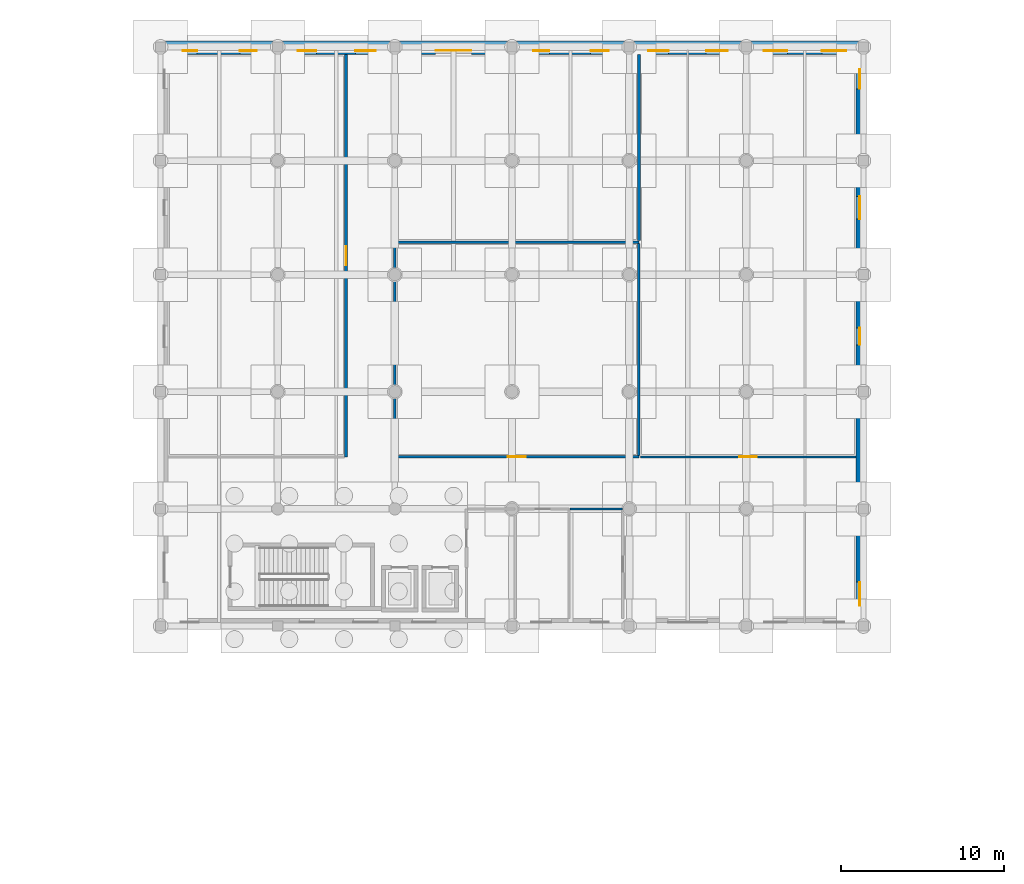
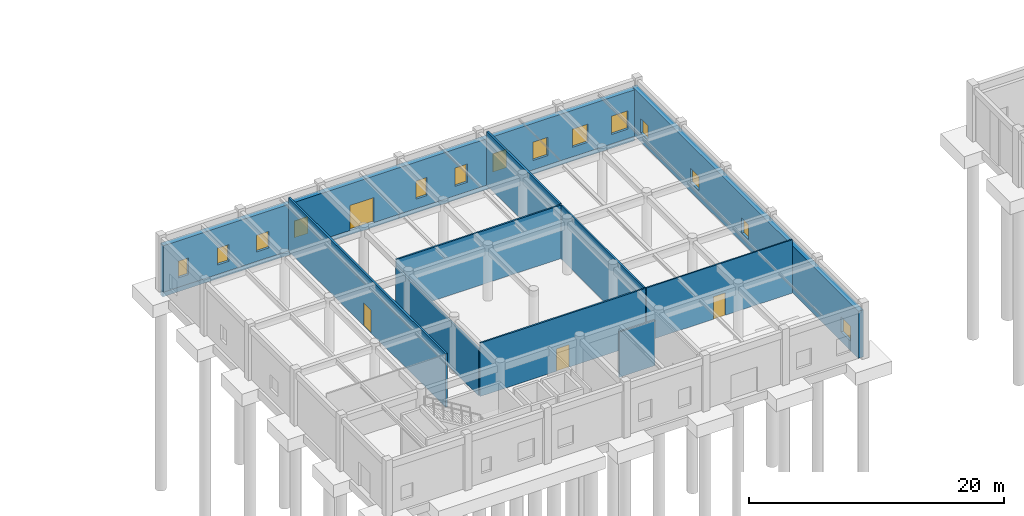
# One storey, part 73 of 91: 14 windows, 12 walls, 4 doors, 18 openings.
"""IFC4 building model written with IfcOpenShell, lengths in metres."""

import ifcopenshell
import ifcopenshell.guid

model = None  # the IFC model being written
_history = None  # IfcOwnerHistory: only IFC2X3 demands one
_inside = {}  # id of a spatial element -> (the spatial element, [elements in it])
_under = {}  # id of a project, library or spatial element -> (it, [spatial elements below it])
_declared = {}  # id of a project -> (the project, [libraries it declares])
_typed = {}  # id of a type object -> (the type object, [elements of that type])
_made_of = {}  # id of a material, layer set ... -> (it, [elements and type objects made of it])


def new_model(schema):
    """Start an empty IFC model of exactly this schema.

    Asked for "IFC4X3", IfcOpenShell would pick the latest addendum, in which some entities
    have other attributes; the version numbers below select the first issue.
    IFC2X3 requires an IfcOwnerHistory on every rooted entity: one is made here for all.
    """
    global model, _history
    if schema == "IFC4X3":
        model = ifcopenshell.file(schema_version=(4, 3, 0, 0))
    else:
        model = ifcopenshell.file(schema=schema)
    _inside.clear()
    _under.clear()
    _declared.clear()
    _typed.clear()
    _made_of.clear()
    _history = None
    if model.schema == "IFC2X3":
        org = make("IfcOrganization", Name="unknown")
        user = make(
            "IfcPersonAndOrganization",
            ThePerson=make("IfcPerson", FamilyName="unknown"),
            TheOrganization=org,
        )
        app = make(
            "IfcApplication",
            ApplicationDeveloper=org,
            Version="unknown",
            ApplicationFullName="unknown",
            ApplicationIdentifier="unknown",
        )
        _history = make(
            "IfcOwnerHistory",
            OwningUser=user,
            OwningApplication=app,
            ChangeAction="ADDED",
            CreationDate=0,
        )
    return model


def make(cls, **values):
    """One entity of the class cls with the attributes given. An attribute that is None is left unset."""
    return model.create_entity(
        cls, **{name: value for name, value in values.items() if value is not None}
    )


def rooted(cls, **values):
    """An entity with a GlobalId (a new one), such as an element, a storey or a relation."""
    return make(cls, GlobalId=ifcopenshell.guid.new(), OwnerHistory=_history, **values)


def si_unit(unit_type, name, prefix=None):
    """IfcSIUnit, for example si_unit("LENGTHUNIT", "METRE", prefix="MILLI")."""
    return make("IfcSIUnit", UnitType=unit_type, Prefix=prefix, Name=name)


def assignment(units):
    """IfcUnitAssignment: the units of a project."""
    return None if units is None else make("IfcUnitAssignment", Units=units)


def point(xyz):
    """IfcCartesianPoint."""
    return None if xyz is None else make("IfcCartesianPoint", Coordinates=xyz)


def direction(xyz):
    """IfcDirection."""
    return None if xyz is None else make("IfcDirection", DirectionRatios=xyz)


def frame(location, z_axis=None, x_axis=None):
    """IfcAxis2Placement3D, a coordinate frame: its origin and axes. An axis left out is left unset."""
    return make(
        "IfcAxis2Placement3D",
        Location=point(location),
        Axis=direction(z_axis),
        RefDirection=direction(x_axis),
    )


def frame_2d(location, x_axis=None):
    """IfcAxis2Placement2D, a coordinate frame in the plane: its origin and x axis."""
    return make(
        "IfcAxis2Placement2D", Location=point(location), RefDirection=direction(x_axis)
    )


def origin():
    """The frame at (0, 0, 0) with its axes left unset."""
    return frame((0.0, 0.0, 0.0))


def place(relative_to, where):
    """IfcLocalPlacement: puts the frame where relative to a parent placement (None: the world)."""
    return make(
        "IfcLocalPlacement", PlacementRelTo=relative_to, RelativePlacement=where
    )


def context(
    kind, dimensions, precision=None, world=None, true_north=None, identifier=None
):
    """IfcGeometricRepresentationContext, for example the 3D "Model" context."""
    return make(
        "IfcGeometricRepresentationContext",
        ContextIdentifier=identifier,
        ContextType=kind,
        CoordinateSpaceDimension=dimensions,
        Precision=precision,
        WorldCoordinateSystem=world,
        TrueNorth=true_north,
    )


def subcontext(parent, identifier, kind, view, scale=None):
    """IfcGeometricRepresentationSubContext, for example "Body" below "Model"."""
    return make(
        "IfcGeometricRepresentationSubContext",
        ContextIdentifier=identifier,
        ContextType=kind,
        ParentContext=parent,
        TargetScale=scale,
        TargetView=view,
    )


def project(units=None, contexts=None):
    """IfcProject with its units and contexts."""
    return rooted(
        "IfcProject",
        Name="project",
        RepresentationContexts=contexts,
        UnitsInContext=assignment(units),
    )


def spatial(cls, under=None, at=None, **own):
    """A site, building, storey or space (cls), placed at a placement, below another one or the project."""
    s = rooted(cls, ObjectPlacement=at, **own)
    if under is not None:
        _under.setdefault(under.id(), (under, []))[1].append(s)
    return s


def profile(cls, at=None, kind="AREA", **sizes):
    """A parametric profile (cls). Its sizes go by their IFC names, for example OverallWidth=200.0."""
    return make(cls, ProfileType=kind, Position=at, **sizes)


def rectangle(**sizes):
    """IfcRectangleProfileDef."""
    return profile("IfcRectangleProfileDef", **sizes)


def extrude(swept, where, along, depth):
    """IfcExtrudedAreaSolid: the profile swept, set in the frame where, extruded along a direction by depth."""
    return make(
        "IfcExtrudedAreaSolid",
        SweptArea=swept,
        Position=where,
        ExtrudedDirection=direction(along),
        Depth=depth,
    )


def shape(context_of_items, identifier, shape_type, items):
    """IfcShapeRepresentation: the items that make up one representation, for example the "Body"."""
    return make(
        "IfcShapeRepresentation",
        ContextOfItems=context_of_items,
        RepresentationIdentifier=identifier,
        RepresentationType=shape_type,
        Items=items,
    )


def material(Name=None, Category=None):
    """IfcMaterial."""
    return make("IfcMaterial", Name=Name, Category=Category)


def layer(
    of_material, thickness, ventilated=None, Name=None, Category=None, Priority=None
):
    """IfcMaterialLayer: one layer of a wall or slab, of a material (None: an air gap)."""
    return make(
        "IfcMaterialLayer",
        Material=of_material,
        LayerThickness=thickness,
        IsVentilated=ventilated,
        Name=Name,
        Category=Category,
        Priority=Priority,
    )


def layer_set(layers, Name=None):
    """IfcMaterialLayerSet."""
    return make("IfcMaterialLayerSet", MaterialLayers=layers, LayerSetName=Name)


def made_of(thing, what):
    """Note that an element or type object is made of a material, layer set ...; save() writes the relation."""
    if what is not None:
        _made_of.setdefault(what.id(), (what, []))[1].append(thing)
    return thing


def type_object(cls, material=None, **own):
    """A type object (cls), such as IfcWallType, which elements share."""
    return made_of(rooted(cls, **own), material)


def element(
    cls,
    number,
    at=None,
    inside=None,
    cuts=None,
    type_object=None,
    material=None,
    context=None,
    identifier="Body",
    shape_type=None,
    held_by="IfcProductDefinitionShape",
    body=None,
    shapes=None,
    **own,
):
    """One element of the class cls, such as IfcWall. Its Tag is "e" and its number.

    at: its placement. inside: the storey or other place that contains it. cuts: it is an
    opening in that element (IfcRelVoidsElement). A single representation is given by context,
    identifier, shape_type and body (its items); several are given by shapes. held_by: the class
    of the entity that holds the representations. save() writes the other relations.
    """
    e = rooted(cls, Tag="e%d" % number, ObjectPlacement=at, **own)
    if body is not None:
        shapes = [shape(context, identifier, shape_type, body)]
    if shapes is not None:
        e.Representation = make(held_by, Representations=shapes)
    if inside is not None:
        _inside.setdefault(inside.id(), (inside, []))[1].append(e)
    if cuts is not None:
        rooted(
            "IfcRelVoidsElement", RelatingBuildingElement=cuts, RelatedOpeningElement=e
        )
    if type_object is not None:
        _typed.setdefault(type_object.id(), (type_object, []))[1].append(e)
    return made_of(e, material)


def fill(opening, filler):
    """IfcRelFillsElement: the door or window that sits in an opening."""
    return rooted(
        "IfcRelFillsElement",
        RelatingOpeningElement=opening,
        RelatedBuildingElement=filler,
    )


def aggregate(whole, parts):
    """IfcRelAggregates: a whole, such as a stair, and the parts it consists of."""
    return rooted("IfcRelAggregates", RelatingObject=whole, RelatedObjects=parts)


def save(model, path):
    """Write the relations noted so far, then the file.

    IfcRelAggregates (storeys below a building ...), IfcRelContainedInSpatialStructure (elements
    in a storey), IfcRelDefinesByType, IfcRelAssociatesMaterial and IfcRelDeclares: one each for
    every whole, place, type object, material and project.
    """
    for whole, parts in _under.values():
        aggregate(whole, parts)
    for where, things in _inside.values():
        rooted(
            "IfcRelContainedInSpatialStructure",
            RelatedElements=things,
            RelatingStructure=where,
        )
    for kind, things in _typed.values():
        rooted("IfcRelDefinesByType", RelatedObjects=things, RelatingType=kind)
    for what, things in _made_of.values():
        rooted("IfcRelAssociatesMaterial", RelatedObjects=things, RelatingMaterial=what)
    for by, libraries in _declared.values():
        rooted("IfcRelDeclares", RelatingContext=by, RelatedDefinitions=libraries)
    model.write(path)


model = new_model("IFC4")

# Units and contexts
model_context = context("Model", 3, precision=1e-05, world=origin(), true_north=direction((0.0, 1.0)))
body_context = subcontext(model_context, "Body", "Model", "MODEL_VIEW")
ifc_project = project(units=[si_unit("LENGTHUNIT", "METRE"), si_unit("AREAUNIT", "SQUARE_METRE"), si_unit("VOLUMEUNIT", "CUBIC_METRE"), si_unit("PLANEANGLEUNIT", "RADIAN"), si_unit("MASSUNIT", "GRAM", prefix="KILO")], contexts=[model_context])

# Site, building, storey
site_placement = place(None, origin())
site = spatial("IfcSite", under=ifc_project, at=site_placement, CompositionType="ELEMENT")
building_placement = place(site_placement, origin())
building = spatial("IfcBuilding", under=site, at=building_placement, Name="Bramveld Media Centre", CompositionType="ELEMENT")
storey_placement = place(building_placement, origin())
storey = spatial("IfcBuildingStorey", under=building, at=storey_placement, Name="L00", CompositionType="ELEMENT", Elevation=0.0)

# Wall, openings, windows
ifc_material_1 = material(Name="Flemish red-brown clay facing brick cavity wall with concrete C35/45 inner leaf", Category="masonry")
ifc_layer_1 = layer(ifc_material_1, 0.4599609375)
ifc_layer_set_1 = layer_set([ifc_layer_1], Name="Flemish red-brown clay facing brick cavity wall with concrete C35/45 inner leaf")
wall_type_1 = type_object("IfcWallType", Name="EW-BRK-460", PredefinedType="SOLIDWALL", material=ifc_layer_set_1)
wall_1_placement = place(storey_placement, frame((108.570068359375, 126.0, 0.0), z_axis=(0.0, 0.0, 1.0), x_axis=(0.0, -1.0, 0.0)))
wall_1 = element("IfcWall", 1, at=wall_1_placement, inside=storey, type_object=wall_type_1, Name="V6 L00 E facing brick exterior wall", PredefinedType="SOLIDWALL", context=body_context, shape_type="SweptSolid", body=[
    extrude(rectangle(XDim=35.60009765625, YDim=0.4599609375, at=frame_2d((17.800048828125, 0.0))), origin(), (0.0, 0.0, 1.0), 4.514892578125),
])
opening_1_placement = place(wall_1_placement, frame((1.377685546875, 0.0, 0.89990234375)))
opening_1 = element("IfcOpeningElement", 2, at=opening_1_placement, cuts=wall_1, Name="Opening W-04", PredefinedType="OPENING", context=body_context, shape_type="SweptSolid", body=[
    extrude(rectangle(XDim=1.199951171875, YDim=1.35009765625, at=frame_2d((0.60009765625, 0.675048828125))), frame((0.0, 0.241943359375, 0.0), z_axis=(0.0, -1.0, 0.0), x_axis=(1.0, 0.0, 0.0)), (0.0, 0.0, 1.0), 0.48388671875),
])
opening_2_placement = place(wall_1_placement, frame((9.18896484375, 0.0, 0.89990234375)))
opening_2 = element("IfcOpeningElement", 3, at=opening_2_placement, cuts=wall_1, Name="Opening W-06", PredefinedType="OPENING", context=body_context, shape_type="SweptSolid", body=[
    extrude(rectangle(XDim=1.39990234375, YDim=1.35009765625, at=frame_2d((0.699951171875, 0.675048828125))), frame((0.0, 0.241943359375, 0.0), z_axis=(0.0, -1.0, 0.0), x_axis=(1.0, 0.0, 0.0)), (0.0, 0.0, 1.0), 0.48388671875),
])
opening_3_placement = place(wall_1_placement, frame((17.27490234375, 0.0, 0.89990234375)))
opening_3 = element("IfcOpeningElement", 4, at=opening_3_placement, cuts=wall_1, Name="Opening W-08", PredefinedType="OPENING", context=body_context, shape_type="SweptSolid", body=[
    extrude(rectangle(XDim=1.050048828125, YDim=1.449951171875, at=frame_2d((0.52490234375, 0.72509765625))), frame((0.0, 0.241943359375, 0.0), z_axis=(0.0, -1.0, 0.0), x_axis=(1.0, 0.0, 0.0)), (0.0, 0.0, 1.0), 0.48388671875),
])
opening_4_placement = place(wall_1_placement, frame((32.897216796875, 0.0, 0.89990234375)))
opening_4 = element("IfcOpeningElement", 5, at=opening_4_placement, cuts=wall_1, Name="Opening W-12", PredefinedType="OPENING", context=body_context, shape_type="SweptSolid", body=[
    extrude(rectangle(XDim=1.449951171875, YDim=1.449951171875, at=frame_2d((0.72509765625, 0.72509765625))), frame((0.0, 0.241943359375, 0.0), z_axis=(0.0, -1.0, 0.0), x_axis=(1.0, 0.0, 0.0)), (0.0, 0.0, 1.0), 0.48388671875),
])
ifc_material_2 = material(Name="Thermally broken anodized bronze aluminium frame with triple acoustic glazing", Category="aluminium")
window_type_1 = type_object("IfcWindowType", Name="WIN-FAC-04", PartitioningType="SINGLE_PANEL", PredefinedType="WINDOW", material=ifc_material_2)
window_1_placement = place(opening_1_placement, origin())
window_1 = element("IfcWindow", 6, at=window_1_placement, inside=storey, type_object=window_type_1, Name="V6 L00 E acoustic facade window", OverallHeight=1.35009765625, OverallWidth=1.199951171875, PartitioningType="SINGLE_PANEL", PredefinedType="WINDOW", context=body_context, shape_type="SweptSolid", body=[
    extrude(rectangle(XDim=1.199951171875, YDim=1.35009765625, at=frame_2d((0.60009765625, 0.675048828125))), frame((0.0, 0.030029296875, 0.0), z_axis=(0.0, -1.0, 0.0), x_axis=(1.0, 0.0, 0.0)), (0.0, 0.0, 1.0), 0.06005859375),
])
fill(opening_1, window_1)
ifc_material_3 = material(Name="Thermally broken anodized bronze aluminium frame with triple acoustic glazing", Category="aluminium")
window_type_2 = type_object("IfcWindowType", Name="WIN-FAC-06", PartitioningType="SINGLE_PANEL", PredefinedType="WINDOW", material=ifc_material_3)
window_2_placement = place(opening_2_placement, origin())
window_2 = element("IfcWindow", 7, at=window_2_placement, inside=storey, type_object=window_type_2, Name="V6 L00 E acoustic facade window", OverallHeight=1.35009765625, OverallWidth=1.39990234375, PartitioningType="SINGLE_PANEL", PredefinedType="WINDOW", context=body_context, shape_type="SweptSolid", body=[
    extrude(rectangle(XDim=1.39990234375, YDim=1.35009765625, at=frame_2d((0.699951171875, 0.675048828125))), frame((0.0, 0.030029296875, 0.0), z_axis=(0.0, -1.0, 0.0), x_axis=(1.0, 0.0, 0.0)), (0.0, 0.0, 1.0), 0.06005859375),
])
fill(opening_2, window_2)
ifc_material_4 = material(Name="Thermally broken anodized bronze aluminium frame with triple acoustic glazing", Category="aluminium")
window_type_3 = type_object("IfcWindowType", Name="WIN-FAC-08", PartitioningType="SINGLE_PANEL", PredefinedType="WINDOW", material=ifc_material_4)
window_3_placement = place(opening_3_placement, origin())
window_3 = element("IfcWindow", 8, at=window_3_placement, inside=storey, type_object=window_type_3, Name="V6 L00 E acoustic facade window", OverallHeight=1.449951171875, OverallWidth=1.050048828125, PartitioningType="SINGLE_PANEL", PredefinedType="WINDOW", context=body_context, shape_type="SweptSolid", body=[
    extrude(rectangle(XDim=1.050048828125, YDim=1.449951171875, at=frame_2d((0.52490234375, 0.72509765625))), frame((0.0, 0.030029296875, 0.0), z_axis=(0.0, -1.0, 0.0), x_axis=(1.0, 0.0, 0.0)), (0.0, 0.0, 1.0), 0.06005859375),
])
fill(opening_3, window_3)
ifc_material_5 = material(Name="Thermally broken anodized bronze aluminium frame with triple acoustic glazing", Category="aluminium")
window_type_4 = type_object("IfcWindowType", Name="WIN-FAC-12", PartitioningType="SINGLE_PANEL", PredefinedType="WINDOW", material=ifc_material_5)
window_4_placement = place(opening_4_placement, origin())
window_4 = element("IfcWindow", 9, at=window_4_placement, inside=storey, type_object=window_type_4, Name="V6 L00 E acoustic facade window", OverallHeight=1.449951171875, OverallWidth=1.449951171875, PartitioningType="SINGLE_PANEL", PredefinedType="WINDOW", context=body_context, shape_type="SweptSolid", body=[
    extrude(rectangle(XDim=1.449951171875, YDim=1.449951171875, at=frame_2d((0.72509765625, 0.72509765625))), frame((0.0, 0.030029296875, 0.0), z_axis=(0.0, -1.0, 0.0), x_axis=(1.0, 0.0, 0.0)), (0.0, 0.0, 1.0), 0.06005859375),
])
fill(opening_4, window_4)

# Wall, openings, door, windows
wall_2_placement = place(storey_placement, frame((65.60009765625, 125.77001953125, 0.0), z_axis=(0.0, 0.0, 1.0), x_axis=(1.0, 0.0, 0.0)))
wall_2 = element("IfcWall", 10, at=wall_2_placement, inside=storey, type_object=wall_type_1, Name="V6 L00 N facing brick exterior wall", PredefinedType="SOLIDWALL", context=body_context, shape_type="SweptSolid", body=[
    extrude(rectangle(XDim=43.199951171875, YDim=0.4599609375, at=frame_2d((21.60009765625, 0.0))), origin(), (0.0, 0.0, 1.0), 4.455078125),
])
opening_5_placement = place(wall_2_placement, frame((16.89990234375, 0.0, 0.0)))
opening_5 = element("IfcOpeningElement", 11, at=opening_5_placement, cuts=wall_2, Name="Opening ED-12", PredefinedType="OPENING", context=body_context, shape_type="SweptSolid", body=[
    extrude(rectangle(XDim=2.199951171875, YDim=2.39990234375, at=frame_2d((1.10009765625, 1.199951171875))), frame((0.0, 0.241943359375, 0.0), z_axis=(0.0, -1.0, 0.0), x_axis=(1.0, 0.0, 0.0)), (0.0, 0.0, 1.0), 0.48388671875),
])
opening_6_placement = place(wall_2_placement, frame((1.35009765625, 0.0, 0.89990234375)))
opening_6 = element("IfcOpeningElement", 12, at=opening_6_placement, cuts=wall_2, Name="Opening W-13", PredefinedType="OPENING", context=body_context, shape_type="SweptSolid", body=[
    extrude(rectangle(XDim=0.89990234375, YDim=1.60009765625, at=frame_2d((0.449951171875, 0.800048828125))), frame((0.0, 0.241943359375, 0.0), z_axis=(0.0, -1.0, 0.0), x_axis=(1.0, 0.0, 0.0)), (0.0, 0.0, 1.0), 0.48388671875),
])
opening_7_placement = place(wall_2_placement, frame((4.875, 0.0, 0.89990234375)))
opening_7 = element("IfcOpeningElement", 13, at=opening_7_placement, cuts=wall_2, Name="Opening W-14", PredefinedType="OPENING", context=body_context, shape_type="SweptSolid", body=[
    extrude(rectangle(XDim=1.050048828125, YDim=1.60009765625, at=frame_2d((0.52490234375, 0.800048828125))), frame((0.0, 0.241943359375, 0.0), z_axis=(0.0, -1.0, 0.0), x_axis=(1.0, 0.0, 0.0)), (0.0, 0.0, 1.0), 0.48388671875),
])
opening_8_placement = place(wall_2_placement, frame((8.425048828125, 0.0, 0.89990234375)))
opening_8 = element("IfcOpeningElement", 14, at=opening_8_placement, cuts=wall_2, Name="Opening W-15", PredefinedType="OPENING", context=body_context, shape_type="SweptSolid", body=[
    extrude(rectangle(XDim=1.14990234375, YDim=1.60009765625, at=frame_2d((0.574951171875, 0.800048828125))), frame((0.0, 0.241943359375, 0.0), z_axis=(0.0, -1.0, 0.0), x_axis=(1.0, 0.0, 0.0)), (0.0, 0.0, 1.0), 0.48388671875),
])
opening_9_placement = place(wall_2_placement, frame((11.97509765625, 0.0, 0.89990234375)))
opening_9 = element("IfcOpeningElement", 15, at=opening_9_placement, cuts=wall_2, Name="Opening W-16", PredefinedType="OPENING", context=body_context, shape_type="SweptSolid", body=[
    extrude(rectangle(XDim=1.25, YDim=1.60009765625, at=frame_2d((0.625, 0.800048828125))), frame((0.0, 0.241943359375, 0.0), z_axis=(0.0, -1.0, 0.0), x_axis=(1.0, 0.0, 0.0)), (0.0, 0.0, 1.0), 0.48388671875),
])
opening_10_placement = place(wall_2_placement, frame((22.89990234375, 0.0, 0.89990234375)))
opening_10 = element("IfcOpeningElement", 16, at=opening_10_placement, cuts=wall_2, Name="Opening W-19", PredefinedType="OPENING", context=body_context, shape_type="SweptSolid", body=[
    extrude(rectangle(XDim=1.0, YDim=1.75, at=frame_2d((0.5, 0.875))), frame((0.0, 0.241943359375, 0.0), z_axis=(0.0, -1.0, 0.0), x_axis=(1.0, 0.0, 0.0)), (0.0, 0.0, 1.0), 0.48388671875),
])
opening_11_placement = place(wall_2_placement, frame((26.43994140625, 0.0, 0.89990234375)))
opening_11 = element("IfcOpeningElement", 17, at=opening_11_placement, cuts=wall_2, Name="Opening W-20", PredefinedType="OPENING", context=body_context, shape_type="SweptSolid", body=[
    extrude(rectangle(XDim=1.1201171875, YDim=1.75, at=frame_2d((0.56005859375, 0.875))), frame((0.0, 0.241943359375, 0.0), z_axis=(0.0, -1.0, 0.0), x_axis=(1.0, 0.0, 0.0)), (0.0, 0.0, 1.0), 0.48388671875),
])
opening_12_placement = place(wall_2_placement, frame((29.97998046875, 0.0, 0.89990234375)))
opening_12 = element("IfcOpeningElement", 18, at=opening_12_placement, cuts=wall_2, Name="Opening W-21", PredefinedType="OPENING", context=body_context, shape_type="SweptSolid", body=[
    extrude(rectangle(XDim=1.239990234375, YDim=1.75, at=frame_2d((0.6201171875, 0.875))), frame((0.0, 0.241943359375, 0.0), z_axis=(0.0, -1.0, 0.0), x_axis=(1.0, 0.0, 0.0)), (0.0, 0.0, 1.0), 0.48388671875),
])
opening_13_placement = place(wall_2_placement, frame((33.530029296875, 0.0, 0.89990234375)))
opening_13 = element("IfcOpeningElement", 19, at=opening_13_placement, cuts=wall_2, Name="Opening W-22", PredefinedType="OPENING", context=body_context, shape_type="SweptSolid", body=[
    extrude(rectangle(XDim=1.340087890625, YDim=1.75, at=frame_2d((0.669921875, 0.875))), frame((0.0, 0.241943359375, 0.0), z_axis=(0.0, -1.0, 0.0), x_axis=(1.0, 0.0, 0.0)), (0.0, 0.0, 1.0), 0.48388671875),
])
opening_14_placement = place(wall_2_placement, frame((37.080078125, 0.0, 0.89990234375)))
opening_14 = element("IfcOpeningElement", 20, at=opening_14_placement, cuts=wall_2, Name="Opening W-23", PredefinedType="OPENING", context=body_context, shape_type="SweptSolid", body=[
    extrude(rectangle(XDim=1.43994140625, YDim=1.75, at=frame_2d((0.719970703125, 0.875))), frame((0.0, 0.241943359375, 0.0), z_axis=(0.0, -1.0, 0.0), x_axis=(1.0, 0.0, 0.0)), (0.0, 0.0, 1.0), 0.48388671875),
])
opening_15_placement = place(wall_2_placement, frame((40.64990234375, 0.0, 0.89990234375)))
opening_15 = element("IfcOpeningElement", 21, at=opening_15_placement, cuts=wall_2, Name="Opening W-24", PredefinedType="OPENING", context=body_context, shape_type="SweptSolid", body=[
    extrude(rectangle(XDim=1.5, YDim=1.75, at=frame_2d((0.75, 0.875))), frame((0.0, 0.241943359375, 0.0), z_axis=(0.0, -1.0, 0.0), x_axis=(1.0, 0.0, 0.0)), (0.0, 0.0, 1.0), 0.48388671875),
])
ifc_material_6 = material(Name="Insulated powder-coated bronze aluminium & laminated safety glass door", Category="aluminium")
door_type_1 = type_object("IfcDoorType", Name="DR-EXT-2200", OperationType="NOTDEFINED", PredefinedType="DOOR", material=ifc_material_6)
door_1_placement = place(opening_5_placement, origin())
door_1 = element("IfcDoor", 22, at=door_1_placement, inside=storey, type_object=door_type_1, Name="Exterior door ED-12", OperationType="DOUBLE_DOOR_SINGLE_SWING", OverallHeight=2.39990234375, OverallWidth=2.199951171875, PredefinedType="DOOR", context=body_context, shape_type="SweptSolid", body=[
    extrude(rectangle(XDim=2.199951171875, YDim=2.39990234375, at=frame_2d((1.10009765625, 1.199951171875))), frame((0.0, 0.02490234375, 0.0), z_axis=(0.0, -1.0, 0.0), x_axis=(1.0, 0.0, 0.0)), (0.0, 0.0, 1.0), 0.050048828125),
])
fill(opening_5, door_1)
ifc_material_7 = material(Name="Thermally broken anodized bronze aluminium frame with triple acoustic glazing", Category="aluminium")
window_type_5 = type_object("IfcWindowType", Name="WIN-FAC-13", PartitioningType="SINGLE_PANEL", PredefinedType="WINDOW", material=ifc_material_7)
window_5_placement = place(opening_6_placement, origin())
window_5 = element("IfcWindow", 23, at=window_5_placement, inside=storey, type_object=window_type_5, Name="V6 L00 N acoustic facade window", OverallHeight=1.60009765625, OverallWidth=0.89990234375, PartitioningType="SINGLE_PANEL", PredefinedType="WINDOW", context=body_context, shape_type="SweptSolid", body=[
    extrude(rectangle(XDim=0.89990234375, YDim=1.60009765625, at=frame_2d((0.449951171875, 0.800048828125))), frame((0.0, 0.030029296875, 0.0), z_axis=(0.0, -1.0, 0.0), x_axis=(1.0, 0.0, 0.0)), (0.0, 0.0, 1.0), 0.06005859375),
])
fill(opening_6, window_5)
ifc_material_8 = material(Name="Thermally broken anodized bronze aluminium frame with triple acoustic glazing", Category="aluminium")
window_type_6 = type_object("IfcWindowType", Name="WIN-FAC-14", PartitioningType="SINGLE_PANEL", PredefinedType="WINDOW", material=ifc_material_8)
window_6_placement = place(opening_7_placement, origin())
window_6 = element("IfcWindow", 24, at=window_6_placement, inside=storey, type_object=window_type_6, Name="V6 L00 N acoustic facade window", OverallHeight=1.60009765625, OverallWidth=1.050048828125, PartitioningType="SINGLE_PANEL", PredefinedType="WINDOW", context=body_context, shape_type="SweptSolid", body=[
    extrude(rectangle(XDim=1.050048828125, YDim=1.60009765625, at=frame_2d((0.52490234375, 0.800048828125))), frame((0.0, 0.030029296875, 0.0), z_axis=(0.0, -1.0, 0.0), x_axis=(1.0, 0.0, 0.0)), (0.0, 0.0, 1.0), 0.06005859375),
])
fill(opening_7, window_6)
ifc_material_9 = material(Name="Thermally broken anodized bronze aluminium frame with triple acoustic glazing", Category="aluminium")
window_type_7 = type_object("IfcWindowType", Name="WIN-FAC-15", PartitioningType="SINGLE_PANEL", PredefinedType="WINDOW", material=ifc_material_9)
window_7_placement = place(opening_8_placement, origin())
window_7 = element("IfcWindow", 25, at=window_7_placement, inside=storey, type_object=window_type_7, Name="V6 L00 N acoustic facade window", OverallHeight=1.60009765625, OverallWidth=1.14990234375, PartitioningType="SINGLE_PANEL", PredefinedType="WINDOW", context=body_context, shape_type="SweptSolid", body=[
    extrude(rectangle(XDim=1.14990234375, YDim=1.60009765625, at=frame_2d((0.574951171875, 0.800048828125))), frame((0.0, 0.030029296875, 0.0), z_axis=(0.0, -1.0, 0.0), x_axis=(1.0, 0.0, 0.0)), (0.0, 0.0, 1.0), 0.06005859375),
])
fill(opening_8, window_7)
ifc_material_10 = material(Name="Thermally broken anodized bronze aluminium frame with triple acoustic glazing", Category="aluminium")
window_type_8 = type_object("IfcWindowType", Name="WIN-FAC-16", PartitioningType="SINGLE_PANEL", PredefinedType="WINDOW", material=ifc_material_10)
window_8_placement = place(opening_9_placement, origin())
window_8 = element("IfcWindow", 26, at=window_8_placement, inside=storey, type_object=window_type_8, Name="V6 L00 N acoustic facade window", OverallHeight=1.60009765625, OverallWidth=1.25, PartitioningType="SINGLE_PANEL", PredefinedType="WINDOW", context=body_context, shape_type="SweptSolid", body=[
    extrude(rectangle(XDim=1.25, YDim=1.60009765625, at=frame_2d((0.625, 0.800048828125))), frame((0.0, 0.030029296875, 0.0), z_axis=(0.0, -1.0, 0.0), x_axis=(1.0, 0.0, 0.0)), (0.0, 0.0, 1.0), 0.06005859375),
])
fill(opening_9, window_8)
ifc_material_11 = material(Name="Thermally broken anodized bronze aluminium frame with triple acoustic glazing", Category="aluminium")
window_type_9 = type_object("IfcWindowType", Name="WIN-FAC-19", PartitioningType="SINGLE_PANEL", PredefinedType="WINDOW", material=ifc_material_11)
window_9_placement = place(opening_10_placement, origin())
window_9 = element("IfcWindow", 27, at=window_9_placement, inside=storey, type_object=window_type_9, Name="V6 L00 N acoustic facade window", OverallHeight=1.75, OverallWidth=1.0, PartitioningType="SINGLE_PANEL", PredefinedType="WINDOW", context=body_context, shape_type="SweptSolid", body=[
    extrude(rectangle(XDim=1.0, YDim=1.75, at=frame_2d((0.5, 0.875))), frame((0.0, 0.030029296875, 0.0), z_axis=(0.0, -1.0, 0.0), x_axis=(1.0, 0.0, 0.0)), (0.0, 0.0, 1.0), 0.06005859375),
])
fill(opening_10, window_9)
ifc_material_12 = material(Name="Thermally broken anodized bronze aluminium frame with triple acoustic glazing", Category="aluminium")
window_type_10 = type_object("IfcWindowType", Name="WIN-FAC-20", PartitioningType="SINGLE_PANEL", PredefinedType="WINDOW", material=ifc_material_12)
window_10_placement = place(opening_11_placement, origin())
window_10 = element("IfcWindow", 28, at=window_10_placement, inside=storey, type_object=window_type_10, Name="V6 L00 N acoustic facade window", OverallHeight=1.75, OverallWidth=1.1201171875, PartitioningType="SINGLE_PANEL", PredefinedType="WINDOW", context=body_context, shape_type="SweptSolid", body=[
    extrude(rectangle(XDim=1.1201171875, YDim=1.75, at=frame_2d((0.56005859375, 0.875))), frame((0.0, 0.030029296875, 0.0), z_axis=(0.0, -1.0, 0.0), x_axis=(1.0, 0.0, 0.0)), (0.0, 0.0, 1.0), 0.06005859375),
])
fill(opening_11, window_10)
ifc_material_13 = material(Name="Thermally broken anodized bronze aluminium frame with triple acoustic glazing", Category="aluminium")
window_type_11 = type_object("IfcWindowType", Name="WIN-FAC-21", PartitioningType="SINGLE_PANEL", PredefinedType="WINDOW", material=ifc_material_13)
window_11_placement = place(opening_12_placement, origin())
window_11 = element("IfcWindow", 29, at=window_11_placement, inside=storey, type_object=window_type_11, Name="V6 L00 N acoustic facade window", OverallHeight=1.75, OverallWidth=1.239990234375, PartitioningType="SINGLE_PANEL", PredefinedType="WINDOW", context=body_context, shape_type="SweptSolid", body=[
    extrude(rectangle(XDim=1.239990234375, YDim=1.75, at=frame_2d((0.6201171875, 0.875))), frame((0.0, 0.030029296875, 0.0), z_axis=(0.0, -1.0, 0.0), x_axis=(1.0, 0.0, 0.0)), (0.0, 0.0, 1.0), 0.06005859375),
])
fill(opening_12, window_11)
ifc_material_14 = material(Name="Thermally broken anodized bronze aluminium frame with triple acoustic glazing", Category="aluminium")
window_type_12 = type_object("IfcWindowType", Name="WIN-FAC-22", PartitioningType="SINGLE_PANEL", PredefinedType="WINDOW", material=ifc_material_14)
window_12_placement = place(opening_13_placement, origin())
window_12 = element("IfcWindow", 30, at=window_12_placement, inside=storey, type_object=window_type_12, Name="V6 L00 N acoustic facade window", OverallHeight=1.75, OverallWidth=1.340087890625, PartitioningType="SINGLE_PANEL", PredefinedType="WINDOW", context=body_context, shape_type="SweptSolid", body=[
    extrude(rectangle(XDim=1.340087890625, YDim=1.75, at=frame_2d((0.669921875, 0.875))), frame((0.0, 0.030029296875, 0.0), z_axis=(0.0, -1.0, 0.0), x_axis=(1.0, 0.0, 0.0)), (0.0, 0.0, 1.0), 0.06005859375),
])
fill(opening_13, window_12)
ifc_material_15 = material(Name="Thermally broken anodized bronze aluminium frame with triple acoustic glazing", Category="aluminium")
window_type_13 = type_object("IfcWindowType", Name="WIN-FAC-23", PartitioningType="SINGLE_PANEL", PredefinedType="WINDOW", material=ifc_material_15)
window_13_placement = place(opening_14_placement, origin())
window_13 = element("IfcWindow", 31, at=window_13_placement, inside=storey, type_object=window_type_13, Name="V6 L00 N acoustic facade window", OverallHeight=1.75, OverallWidth=1.43994140625, PartitioningType="SINGLE_PANEL", PredefinedType="WINDOW", context=body_context, shape_type="SweptSolid", body=[
    extrude(rectangle(XDim=1.43994140625, YDim=1.75, at=frame_2d((0.719970703125, 0.875))), frame((0.0, 0.030029296875, 0.0), z_axis=(0.0, -1.0, 0.0), x_axis=(1.0, 0.0, 0.0)), (0.0, 0.0, 1.0), 0.06005859375),
])
fill(opening_14, window_13)
ifc_material_16 = material(Name="Thermally broken anodized bronze aluminium frame with triple acoustic glazing", Category="aluminium")
window_type_14 = type_object("IfcWindowType", Name="WIN-FAC-24", PartitioningType="SINGLE_PANEL", PredefinedType="WINDOW", material=ifc_material_16)
window_14_placement = place(opening_15_placement, origin())
window_14 = element("IfcWindow", 32, at=window_14_placement, inside=storey, type_object=window_type_14, Name="V6 L00 N acoustic facade window", OverallHeight=1.75, OverallWidth=1.5, PartitioningType="SINGLE_PANEL", PredefinedType="WINDOW", context=body_context, shape_type="SweptSolid", body=[
    extrude(rectangle(XDim=1.5, YDim=1.75, at=frame_2d((0.75, 0.875))), frame((0.0, 0.030029296875, 0.0), z_axis=(0.0, -1.0, 0.0), x_axis=(1.0, 0.0, 0.0)), (0.0, 0.0, 1.0), 0.06005859375),
])
fill(opening_15, window_14)

# Wall, opening, door
ifc_material_17 = material(Name="Fire-rated twin-frame gypsum corridor wall", Category="gypsum")
ifc_layer_2 = layer(ifc_material_17, 0.179931640625)
ifc_layer_set_2 = layer_set([ifc_layer_2], Name="Fire-rated twin-frame gypsum corridor wall")
wall_type_2 = type_object("IfcWallType", Name="IW-FIRE-180", PredefinedType="PARTITIONING", material=ifc_layer_set_2)
wall_3_placement = place(storey_placement, frame((77.0, 100.800048828125, 0.0), z_axis=(0.0, 0.0, 1.0), x_axis=(0.0, 1.0, 0.0)))
wall_3 = element("IfcWall", 33, at=wall_3_placement, inside=storey, type_object=wall_type_2, Name="Canal Gallery North Vestibule partition wall", PredefinedType="PARTITIONING", context=body_context, shape_type="SweptSolid", body=[
    extrude(rectangle(XDim=24.72998046875, YDim=0.179931640625, at=frame_2d((12.364990234375, 0.0))), origin(), (0.0, 0.0, 1.0), 5.1201171875),
])
opening_16_placement = place(wall_3_placement, frame((11.77490234375, 0.0, 0.0)))
opening_16 = element("IfcOpeningElement", 34, at=opening_16_placement, cuts=wall_3, Name="Opening D-00-040", PredefinedType="OPENING", context=body_context, shape_type="SweptSolid", body=[
    extrude(rectangle(XDim=1.179931640625, YDim=2.199951171875, at=frame_2d((0.58984375, 1.10009765625))), frame((0.0, 0.10205078125, 0.0), z_axis=(0.0, -1.0, 0.0), x_axis=(1.0, 0.0, 0.0)), (0.0, 0.0, 1.0), 0.203857421875),
])
ifc_material_18 = material(Name="Fire-rated acoustic timber & steel composite door", Category="steel")
door_type_2 = type_object("IfcDoorType", Name="DR-STU-1180", OperationType="NOTDEFINED", PredefinedType="DOOR", material=ifc_material_18)
door_2_placement = place(opening_16_placement, origin())
door_2 = element("IfcDoor", 35, at=door_2_placement, inside=storey, type_object=door_type_2, Name="Canal-Front Exhibition Hall 1 entrance door", OperationType="SINGLE_SWING_RIGHT", OverallHeight=2.199951171875, OverallWidth=1.179931640625, PredefinedType="DOOR", context=body_context, shape_type="SweptSolid", body=[
    extrude(rectangle(XDim=1.179931640625, YDim=2.199951171875, at=frame_2d((0.58984375, 1.10009765625))), frame((0.0, 0.02490234375, 0.0), z_axis=(0.0, -1.0, 0.0), x_axis=(1.0, 0.0, 0.0)), (0.0, 0.0, 1.0), 0.050048828125),
])
fill(opening_16, door_2)

# Wall
wall_4_placement = place(storey_placement, frame((95.0, 114.0849609375, 0.0), z_axis=(0.0, 0.0, 1.0), x_axis=(0.0, 1.0, 0.0)))
element("IfcWall", 36, at=wall_4_placement, inside=storey, type_object=wall_type_2, Name="Canal Promenade Cafe & Circulation Lobby partition wall", PredefinedType="PARTITIONING", context=body_context, shape_type="SweptSolid", body=[
    extrude(rectangle(XDim=11.445068359375, YDim=0.179931640625, at=frame_2d((5.72265625, 0.0))), origin(), (0.0, 0.0, 1.0), 5.159912109375),
])

# Wall, opening, door
ifc_material_19 = material(Name="Lightweight acoustic stud partition", Category="gypsum")
ifc_layer_3 = layer(ifc_material_19, 0.125)
ifc_layer_set_3 = layer_set([ifc_layer_3], Name="Lightweight acoustic stud partition")
wall_type_3 = type_object("IfcWallType", Name="IW-PART-125", PredefinedType="PARTITIONING", material=ifc_layer_set_3)
wall_5_placement = place(storey_placement, frame((95.0849609375, 100.800048828125, 0.0), z_axis=(0.0, 0.0, 1.0), x_axis=(1.0, 0.0, 0.0)))
wall_5 = element("IfcWall", 37, at=wall_5_placement, inside=storey, type_object=wall_type_3, Name="Art Crate Unpacking & Transit Store partition wall", PredefinedType="PARTITIONING", context=body_context, shape_type="SweptSolid", body=[
    extrude(rectangle(XDim=13.2451171875, YDim=0.125, at=frame_2d((6.62255859375, 0.0))), origin(), (0.0, 0.0, 1.0), 5.1201171875),
])
opening_17_placement = place(wall_5_placement, frame((6.08251953125, 0.0, 0.0)))
opening_17 = element("IfcOpeningElement", 38, at=opening_17_placement, cuts=wall_5, Name="Opening D-00-042", PredefinedType="OPENING", context=body_context, shape_type="SweptSolid", body=[
    extrude(rectangle(XDim=1.080078125, YDim=2.14990234375, at=frame_2d((0.5400390625, 1.074951171875))), frame((0.0, 0.074462890625, 0.0), z_axis=(0.0, -1.0, 0.0), x_axis=(1.0, 0.0, 0.0)), (0.0, 0.0, 1.0), 0.14892578125),
])
ifc_material_20 = material(Name="Solid-core European oak acoustic timber leaf in steel frame", Category="steel")
door_type_3 = type_object("IfcDoorType", Name="DR-RM-1080", OperationType="NOTDEFINED", PredefinedType="DOOR", material=ifc_material_20)
door_3_placement = place(opening_17_placement, origin())
door_3 = element("IfcDoor", 39, at=door_3_placement, inside=storey, type_object=door_type_3, Name="Art Crate Unpacking & Transit Store entrance door", OperationType="SINGLE_SWING_RIGHT", OverallHeight=2.14990234375, OverallWidth=1.080078125, PredefinedType="DOOR", context=body_context, shape_type="SweptSolid", body=[
    extrude(rectangle(XDim=1.080078125, YDim=2.14990234375, at=frame_2d((0.5400390625, 1.074951171875))), frame((0.0, 0.02490234375, 0.0), z_axis=(0.0, -1.0, 0.0), x_axis=(1.0, 0.0, 0.0)), (0.0, 0.0, 1.0), 0.050048828125),
])
fill(opening_17, door_3)

ifc_material_21 = material(Name="Insulated metal-stud gypsum room partition", Category="gypsum")
ifc_layer_4 = layer(ifc_material_21, 0.14990234375)
ifc_layer_set_4 = layer_set([ifc_layer_4], Name="Insulated metal-stud gypsum room partition")
wall_type_4 = type_object("IfcWallType", Name="IW-PART-150", PredefinedType="PARTITIONING", material=ifc_layer_set_4)
wall_6_placement = place(storey_placement, frame((80.0, 100.800048828125, 0.0), z_axis=(0.0, 0.0, 1.0), x_axis=(1.0, 0.0, 0.0)))
wall_6 = element("IfcWall", 40, at=wall_6_placement, inside=storey, type_object=wall_type_4, Name="Kinetic Light & Media Art Gallery partition wall", PredefinedType="PARTITIONING", context=body_context, shape_type="SweptSolid", body=[
    extrude(rectangle(XDim=15.0, YDim=0.14990234375, at=frame_2d((7.5, 0.0))), origin(), (0.0, 0.0, 1.0), 5.1201171875),
])
opening_18_placement = place(wall_6_placement, frame((6.93994140625, 0.0, 0.0)))
opening_18 = element("IfcOpeningElement", 41, at=opening_18_placement, cuts=wall_6, Name="Opening D-00-041", PredefinedType="OPENING", context=body_context, shape_type="SweptSolid", body=[
    extrude(rectangle(XDim=1.1201171875, YDim=2.14990234375, at=frame_2d((0.56005859375, 1.074951171875))), frame((0.0, 0.0869140625, 0.0), z_axis=(0.0, -1.0, 0.0), x_axis=(1.0, 0.0, 0.0)), (0.0, 0.0, 1.0), 0.173828125),
])
ifc_material_22 = material(Name="Solid-core European oak acoustic timber leaf in steel frame", Category="steel")
door_type_4 = type_object("IfcDoorType", Name="DR-RM-1120", OperationType="NOTDEFINED", PredefinedType="DOOR", material=ifc_material_22)
door_4_placement = place(opening_18_placement, origin())
door_4 = element("IfcDoor", 42, at=door_4_placement, inside=storey, type_object=door_type_4, Name="Kinetic Light & Media Art Gallery entrance door", OperationType="SINGLE_SWING_LEFT", OverallHeight=2.14990234375, OverallWidth=1.1201171875, PredefinedType="DOOR", context=body_context, shape_type="SweptSolid", body=[
    extrude(rectangle(XDim=1.1201171875, YDim=2.14990234375, at=frame_2d((0.56005859375, 1.074951171875))), frame((0.0, 0.02490234375, 0.0), z_axis=(0.0, -1.0, 0.0), x_axis=(1.0, 0.0, 0.0)), (0.0, 0.0, 1.0), 0.050048828125),
])
fill(opening_18, door_4)

# Walls
wall_7_placement = place(storey_placement, frame((80.0, 114.0, 0.0), z_axis=(0.0, 0.0, 1.0), x_axis=(1.0, 0.0, 0.0)))
element("IfcWall", 43, at=wall_7_placement, inside=storey, type_object=wall_type_4, Name="Kinetic Light & Media Art Gallery partition wall", PredefinedType="PARTITIONING", context=body_context, shape_type="SweptSolid", body=[
    extrude(rectangle(XDim=15.0, YDim=0.14990234375, at=frame_2d((7.5, 0.0))), origin(), (0.0, 0.0, 1.0), 5.1201171875),
])
wall_8_placement = place(storey_placement, frame((80.0, 100.885009765625, 0.0), z_axis=(0.0, 0.0, 1.0), x_axis=(0.0, 1.0, 0.0)))
element("IfcWall", 44, at=wall_8_placement, inside=storey, type_object=wall_type_4, Name="Kinetic Light & Media Art Gallery partition wall", PredefinedType="PARTITIONING", context=body_context, shape_type="SweptSolid", body=[
    extrude(rectangle(XDim=13.030029296875, YDim=0.14990234375, at=frame_2d((6.51513671875, 0.0))), origin(), (0.0, 0.0, 1.0), 4.4951171875),
])
wall_9_placement = place(storey_placement, frame((95.0, 100.885009765625, 0.0), z_axis=(0.0, 0.0, 1.0), x_axis=(0.0, 1.0, 0.0)))
element("IfcWall", 45, at=wall_9_placement, inside=storey, type_object=wall_type_4, Name="Kinetic Light & Media Art Gallery partition wall", PredefinedType="PARTITIONING", context=body_context, shape_type="SweptSolid", body=[
    extrude(rectangle(XDim=13.030029296875, YDim=0.14990234375, at=frame_2d((6.51513671875, 0.0))), origin(), (0.0, 0.0, 1.0), 5.1201171875),
])
ifc_material_23 = material(Name="Moisture-resistant cement-board sanitary partition", Category="gypsum")
ifc_layer_5 = layer(ifc_material_23, 0.139892578125)
ifc_layer_set_5 = layer_set([ifc_layer_5], Name="Moisture-resistant cement-board sanitary partition")
wall_type_5 = type_object("IfcWallType", Name="IW-WET-140", PredefinedType="PARTITIONING", material=ifc_layer_set_5)
wall_10_placement = place(storey_placement, frame((90.780029296875, 97.60009765625, 0.0), z_axis=(0.0, 0.0, 1.0), x_axis=(1.0, 0.0, 0.0)))
element("IfcWall", 46, at=wall_10_placement, inside=storey, type_object=wall_type_5, Name="Female WC partition wall", PredefinedType="PARTITIONING", context=body_context, shape_type="SweptSolid", body=[
    extrude(rectangle(XDim=3.219970703125, YDim=0.139892578125, at=frame_2d((1.60986328125, 0.0))), origin(), (0.0, 0.0, 1.0), 4.344970703125),
])
ifc_material_24 = material(Name="Concrete C35/45 site canal-edge retaining wall", Category="concrete")
ifc_layer_6 = layer(ifc_material_24, 0.360107421875)
ifc_layer_set_6 = layer_set([ifc_layer_6], Name="Concrete C35/45 site canal-edge retaining wall")
wall_type_6 = type_object("IfcWallType", Name="RETAIN-360", PredefinedType="USERDEFINED", material=ifc_layer_set_6)
wall_11_placement = place(storey_placement, frame((65.800048828125, 126.179931640625, -0.800048828125), z_axis=(0.0, 0.0, 1.0), x_axis=(1.0, 0.0, 0.0)))
element("IfcWall", 47, at=wall_11_placement, inside=storey, type_object=wall_type_6, Name="Site retaining wall RW-CANAL-01", ObjectType="RETAININGWALL", PredefinedType="USERDEFINED", context=body_context, shape_type="SweptSolid", body=[
    extrude(rectangle(XDim=21.39990234375, YDim=0.360107421875, at=frame_2d((10.699951171875, 0.0))), origin(), (0.0, 0.0, 1.0), 1.35009765625),
])
wall_12_placement = place(storey_placement, frame((87.199951171875, 126.179931640625, -0.800048828125), z_axis=(0.0, 0.0, 1.0), x_axis=(1.0, 0.0, 0.0)))
element("IfcWall", 48, at=wall_12_placement, inside=storey, type_object=wall_type_6, Name="Site retaining wall RW-CANAL-02", ObjectType="RETAININGWALL", PredefinedType="USERDEFINED", context=body_context, shape_type="SweptSolid", body=[
    extrude(rectangle(XDim=21.400146484375, YDim=0.360107421875, at=frame_2d((10.7001953125, 0.0))), origin(), (0.0, 0.0, 1.0), 1.35009765625),
])

save(model, "model.ifc")
